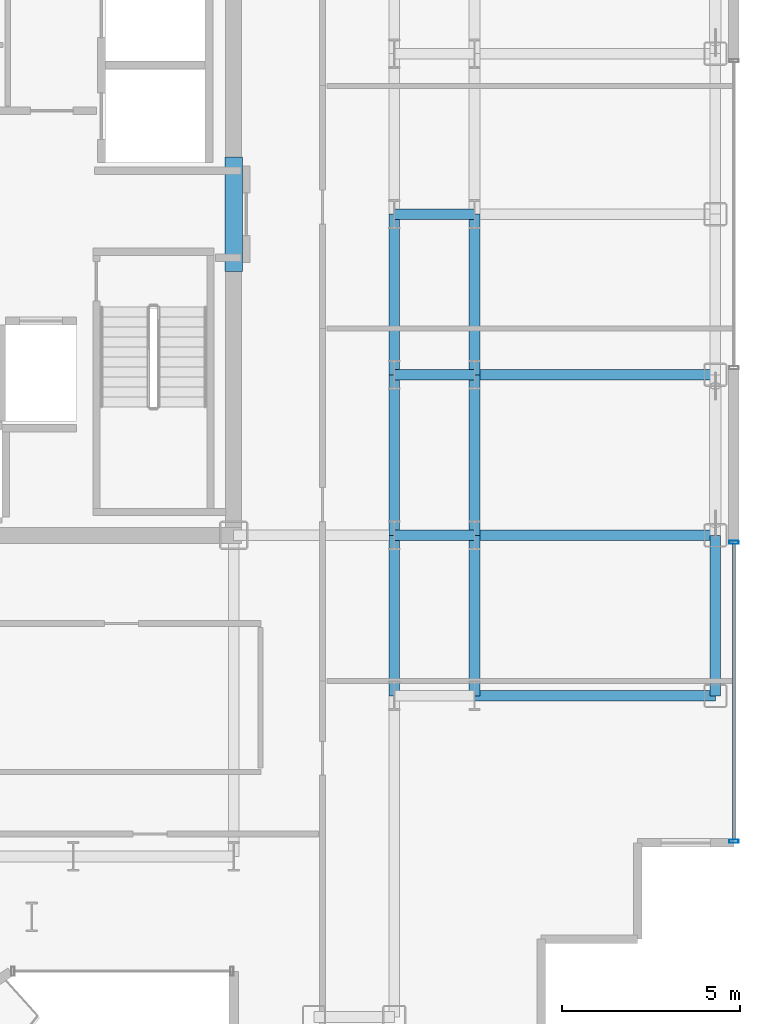
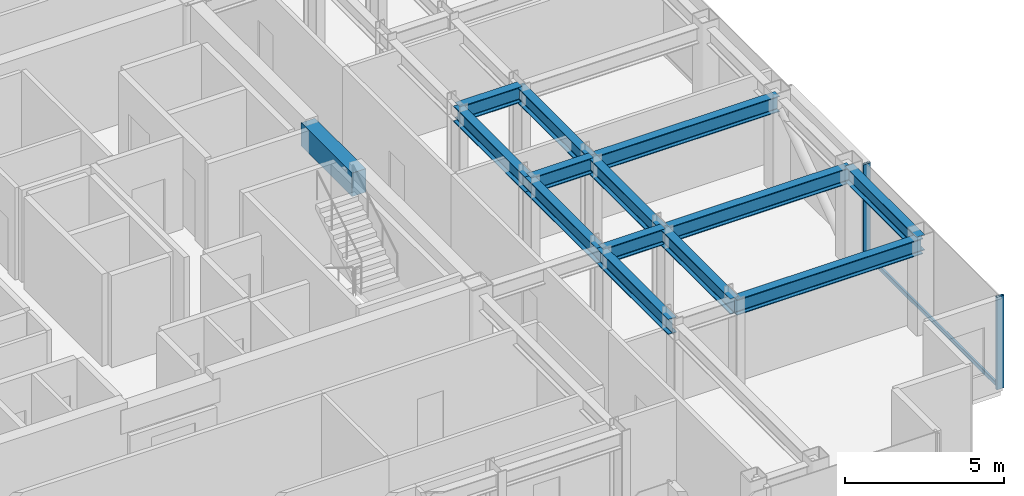
# One storey, part 7 of 22: 14 beams, 3 members, 1 element without a shape of its own.
"""IFC4 building model written with IfcOpenShell, lengths in metres."""

from ifc_helpers import new_model, si_unit, direction, frame, origin, origin_2d, place, context, subcontext, project, spatial, rectangle, hollow_rectangle, i_section, extrude, source, transform, mapped, material, layer, layer_set, material_profile, profile_set, type_object, element, aggregate, save


model = new_model("IFC4")

# Units and contexts
model_context = context("Model", 3, precision=1e-05, world=origin(), true_north=direction((0.0, 1.0)))
body_context = subcontext(model_context, "Body", "Model", "MODEL_VIEW")
ifc_project = project(units=[si_unit("LENGTHUNIT", "METRE"), si_unit("AREAUNIT", "SQUARE_METRE"), si_unit("VOLUMEUNIT", "CUBIC_METRE"), si_unit("PLANEANGLEUNIT", "RADIAN"), si_unit("MASSUNIT", "GRAM", prefix="KILO")], contexts=[model_context])

# Site, building, storey
site_placement = place(None, origin())
site = spatial("IfcSite", under=ifc_project, at=site_placement, CompositionType="ELEMENT")
building_placement = place(site_placement, origin())
building = spatial("IfcBuilding", under=site, at=building_placement, Name="Nefas-Gora Pilgrimage Tower", CompositionType="ELEMENT")
storey_placement = place(building_placement, frame((0.0, 0.0, 218.0)))
storey = spatial("IfcBuildingStorey", under=building, at=storey_placement, Name="L54", CompositionType="ELEMENT", Elevation=218.0)

# Beams
ifc_material_1 = material(Name="Concrete C50/60", Category="concrete")
ifc_material_profile_1 = material_profile(ifc_material_1, rectangle(XDim=0.5, YDim=0.89990234375, at=origin_2d()), Name="RC 500x900")
ifc_profile_set_1 = profile_set([ifc_material_profile_1], Name="Concrete C50/60")
beam_type_1 = type_object("IfcBeamType", Name="BM-LIN-RC900", PredefinedType="LINTEL", material=ifc_profile_set_1)
shared_shape_1 = source(origin(), body_context, "Body", "SweptSolid", [
    extrude(rectangle(XDim=0.5, YDim=0.89990234375, at=origin_2d()), origin(), (0.0, 0.0, 1.0), 3.2001953125),
])
beam_1_placement = place(storey_placement, frame((11.25, -1.60009765625, 3.10009765625), z_axis=(0.0, 1.0, 0.0), x_axis=(-1.0, 0.0, 0.0)))
element("IfcBeam", 1, at=beam_1_placement, inside=storey, type_object=beam_type_1, Name="L54 Core Coupling Lintel Beam E", PredefinedType="LINTEL", context=body_context, shape_type="MappedRepresentation", body=[
    mapped(shared_shape_1, transform((0.0, 0.0, 0.0), x_axis=(1.0, 0.0, 0.0), y_axis=(0.0, 1.0, 0.0), z_axis=(0.0, 0.0, 1.0), scale=1.0)),
])
ifc_material_2 = material(Name="Steel S355", Category="steel")
ifc_material_profile_2 = material_profile(ifc_material_2, i_section(OverallWidth=0.300048828125, OverallDepth=0.60009765625, WebThickness=0.015380859375, FlangeThickness=0.030029296875, FilletRadius=0.027099609375, at=origin_2d()), Name="HEB 600")
ifc_profile_set_2 = profile_set([ifc_material_profile_2], Name="Steel S355")
beam_type_2 = type_object("IfcBeamType", Name="BM-SPN-HEB450", PredefinedType="SPANDREL", material=ifc_profile_set_2)
shared_shape_2 = source(origin(), body_context, "Body", "SweptSolid", [
    extrude(i_section(OverallWidth=0.300048828125, OverallDepth=0.60009765625, WebThickness=0.015380859375, FlangeThickness=0.030029296875, FilletRadius=0.027099609375, at=origin_2d()), origin(), (0.0, 0.0, 1.0), 4.5),
])
beam_2_placement = place(storey_placement, frame((24.75, -13.5, 3.25), z_axis=(0.0, 1.0, 0.0), x_axis=(-1.0, 0.0, 0.0)))
element("IfcBeam", 2, at=beam_2_placement, inside=storey, type_object=beam_type_2, Name="L54 SP-03 beam", PredefinedType="SPANDREL", context=body_context, shape_type="MappedRepresentation", body=[
    mapped(shared_shape_2, transform((0.0, 0.0, 0.0), x_axis=(1.0, 0.0, 0.0), y_axis=(0.0, 1.0, 0.0), z_axis=(0.0, 0.0, 1.0), scale=1.0)),
])
ifc_material_profile_3 = material_profile(ifc_material_2, i_section(OverallWidth=0.300048828125, OverallDepth=0.60009765625, WebThickness=0.015380859375, FlangeThickness=0.030029296875, FilletRadius=0.027099609375, at=origin_2d()), Name="HEB 600")
ifc_profile_set_3 = profile_set([ifc_material_profile_3], Name="Steel S355")
beam_type_3 = type_object("IfcBeamType", Name="BM-GIR-HEB600", PredefinedType="BEAM", material=ifc_profile_set_3)
shared_shape_3 = source(origin(), body_context, "Body", "SweptSolid", [
    extrude(i_section(OverallWidth=0.300048828125, OverallDepth=0.60009765625, WebThickness=0.015380859375, FlangeThickness=0.030029296875, FilletRadius=0.027099609375, at=origin_2d()), origin(), (0.0, 0.0, 1.0), 4.5),
])
for number, where, z_axis, x_axis, name in (
    (3, (15.75, -13.5, 3.25), (0.0, 1.0, 0.0), (-1.0, 0.0, 0.0), "L54 G-04 beam"),
    (4, (15.75, -9.0, 3.25), (0.0, 1.0, 0.0), (-1.0, 0.0, 0.0), "L54 G-04 beam"),
    (5, (15.75, -4.5, 3.25), (0.0, 1.0, 0.0), (-1.0, 0.0, 0.0), "L54 G-04 beam"),
    (6, (18.0, -13.5, 3.25), (0.0, 1.0, 0.0), (-1.0, 0.0, 0.0), "L54 G-04 beam"),
    (7, (18.0, -9.0, 3.25), (0.0, 1.0, 0.0), (-1.0, 0.0, 0.0), "L54 G-04 beam"),
    (8, (18.0, -4.5, 3.25), (0.0, 1.0, 0.0), (-1.0, 0.0, 0.0), "L54 G-04 beam"),
):
    element("IfcBeam", number, at=place(storey_placement, frame(where, z_axis=z_axis, x_axis=x_axis)), inside=storey, type_object=beam_type_3, Name=name, PredefinedType="BEAM", context=body_context, shape_type="MappedRepresentation", body=[
        mapped(shared_shape_3, transform((0.0, 0.0, 0.0), x_axis=(1.0, 0.0, 0.0), y_axis=(0.0, 1.0, 0.0), z_axis=(0.0, 0.0, 1.0), scale=1.0)),
    ])
shared_shape_4 = source(origin(), body_context, "Body", "SweptSolid", [
    extrude(i_section(OverallWidth=0.300048828125, OverallDepth=0.60009765625, WebThickness=0.015380859375, FlangeThickness=0.030029296875, FilletRadius=0.027099609375, at=origin_2d()), origin(), (0.0, 0.0, 1.0), 6.75),
])
for number, where, z_axis, x_axis, name in (
    (9, (18.0, -13.5, 3.25), (1.0, 0.0, 0.0), (0.0, 1.0, 0.0), "L54 G-04 beam"),
    (10, (18.0, -9.0, 3.25), (1.0, 0.0, 0.0), (0.0, 1.0, 0.0), "L54 G-04 beam"),
    (11, (18.0, -4.5, 3.25), (1.0, 0.0, 0.0), (0.0, 1.0, 0.0), "L54 G-04 beam"),
):
    element("IfcBeam", number, at=place(storey_placement, frame(where, z_axis=z_axis, x_axis=x_axis)), inside=storey, type_object=beam_type_3, Name=name, PredefinedType="BEAM", context=body_context, shape_type="MappedRepresentation", body=[
        mapped(shared_shape_4, transform((0.0, 0.0, 0.0), x_axis=(1.0, 0.0, 0.0), y_axis=(0.0, 1.0, 0.0), z_axis=(0.0, 0.0, 1.0), scale=1.0)),
    ])
shared_shape_5 = source(origin(), body_context, "Body", "SweptSolid", [
    extrude(i_section(OverallWidth=0.300048828125, OverallDepth=0.60009765625, WebThickness=0.015380859375, FlangeThickness=0.030029296875, FilletRadius=0.027099609375, at=origin_2d()), origin(), (0.0, 0.0, 1.0), 2.25),
])
for number, where, z_axis, x_axis, name in (
    (12, (15.75, -9.0, 3.25), (1.0, 0.0, 0.0), (0.0, 1.0, 0.0), "L54 G-04 beam"),
    (13, (15.75, -4.5, 3.25), (1.0, 0.0, 0.0), (0.0, 1.0, 0.0), "L54 G-04 beam"),
    (14, (15.75, 0.0, 3.25), (1.0, 0.0, 0.0), (0.0, 1.0, 0.0), "L54 G-04 beam"),
):
    element("IfcBeam", number, at=place(storey_placement, frame(where, z_axis=z_axis, x_axis=x_axis)), inside=storey, type_object=beam_type_3, Name=name, PredefinedType="BEAM", context=body_context, shape_type="MappedRepresentation", body=[
        mapped(shared_shape_5, transform((0.0, 0.0, 0.0), x_axis=(1.0, 0.0, 0.0), y_axis=(0.0, 1.0, 0.0), z_axis=(0.0, 0.0, 1.0), scale=1.0)),
    ])

# Curtain wall, members
ifc_material_3 = material(Name="Dark ceramic-fritted solar-control aluminium-glass curtain wall", Category="aluminium")
ifc_layer = layer(ifc_material_3, 0.219970703125)
ifc_layer_set = layer_set([ifc_layer], Name="Dark ceramic-fritted solar-control aluminium-glass curtain wall")
curtain_wall_type = type_object("IfcCurtainWallType", Name="CW-SYS-3", PredefinedType="NOTDEFINED", material=ifc_layer_set)
curtain_wall_placement = place(storey_placement, origin())
curtain_wall = element("IfcCurtainWall", 15, at=curtain_wall_placement, inside=storey, type_object=curtain_wall_type, Name="L54 Unitised Curtain Wall CW3", PredefinedType="NOTDEFINED")
ifc_material_4 = material(Name="Anodised architectural aluminium", Category="aluminium")
ifc_material_profile_4 = material_profile(ifc_material_4, hollow_rectangle(XDim=0.090087890625, YDim=0.260009765625, WallThickness=0.006103515625, InnerFilletRadius=0.006103515625, OuterFilletRadius=0.011962890625, at=origin_2d()), Name="ALU MULLION 90x260")
ifc_profile_set_4 = profile_set([ifc_material_profile_4], Name="Anodised architectural aluminium")
member_type_1 = type_object("IfcMemberType", Name="CWM-MUL-3", PredefinedType="MULLION", material=ifc_profile_set_4)
shared_shape_6 = source(origin(), body_context, "Body", "SweptSolid", [
    extrude(hollow_rectangle(XDim=0.090087890625, YDim=0.260009765625, WallThickness=0.006103515625, InnerFilletRadius=0.006103515625, OuterFilletRadius=0.011962890625, at=origin_2d()), origin(), (0.0, 0.0, 1.0), 3.550048828125),
])
member_1_placement = place(storey_placement, frame((25.27001953125, -17.574951171875, 0.0), z_axis=(0.0, 0.0, 1.0), x_axis=(0.0, 1.0, 0.0)))
member_1 = element("IfcMember", 16, at=member_1_placement, type_object=member_type_1, Name="CW3 Mullion 1", PredefinedType="MULLION", context=body_context, shape_type="MappedRepresentation", body=[
    mapped(shared_shape_6, transform((0.0, 0.0, 0.0), x_axis=(1.0, 0.0, 0.0), y_axis=(0.0, 1.0, 0.0), z_axis=(0.0, 0.0, 1.0), scale=1.0)),
])
member_2_placement = place(storey_placement, frame((25.27001953125, -9.195068359375, 0.0), z_axis=(0.0, 0.0, 1.0), x_axis=(0.0, 1.0, 0.0)))
member_2 = element("IfcMember", 17, at=member_2_placement, type_object=member_type_1, Name="CW3 Mullion 2", PredefinedType="MULLION", context=body_context, shape_type="MappedRepresentation", body=[
    mapped(shared_shape_6, transform((0.0, 0.0, 0.0), x_axis=(1.0, 0.0, 0.0), y_axis=(0.0, 1.0, 0.0), z_axis=(0.0, 0.0, 1.0), scale=1.0)),
])
ifc_material_profile_5 = material_profile(ifc_material_4, hollow_rectangle(XDim=0.080078125, YDim=0.159912109375, WallThickness=0.00439453125, InnerFilletRadius=0.00439453125, OuterFilletRadius=0.009033203125, at=origin_2d()), Name="ALU TRANSOM 80x160")
ifc_profile_set_5 = profile_set([ifc_material_profile_5], Name="Anodised architectural aluminium")
member_type_2 = type_object("IfcMemberType", Name="CWM-TRN-3", PredefinedType="USERDEFINED", material=ifc_profile_set_5)
shared_shape_7 = source(origin(), body_context, "Body", "SweptSolid", [
    extrude(hollow_rectangle(XDim=0.080078125, YDim=0.159912109375, WallThickness=0.00439453125, InnerFilletRadius=0.00439453125, OuterFilletRadius=0.009033203125, at=origin_2d()), origin(), (0.0, 0.0, 1.0), 8.2900390625),
])
member_3_placement = place(storey_placement, frame((25.27001953125, -17.530029296875, 0.050048828125), z_axis=(0.0, 1.0, 0.0), x_axis=(-1.0, 0.0, 0.0)))
member_3 = element("IfcMember", 18, at=member_3_placement, type_object=member_type_2, Name="CW3 Spandrel Transom", ObjectType="TRANSOM", PredefinedType="USERDEFINED", context=body_context, shape_type="MappedRepresentation", body=[
    mapped(shared_shape_7, transform((0.0, 0.0, 0.0), x_axis=(1.0, 0.0, 0.0), y_axis=(0.0, 1.0, 0.0), z_axis=(0.0, 0.0, 1.0), scale=1.0)),
])
aggregate(curtain_wall, [member_1, member_2, member_3])

save(model, "model.ifc")
